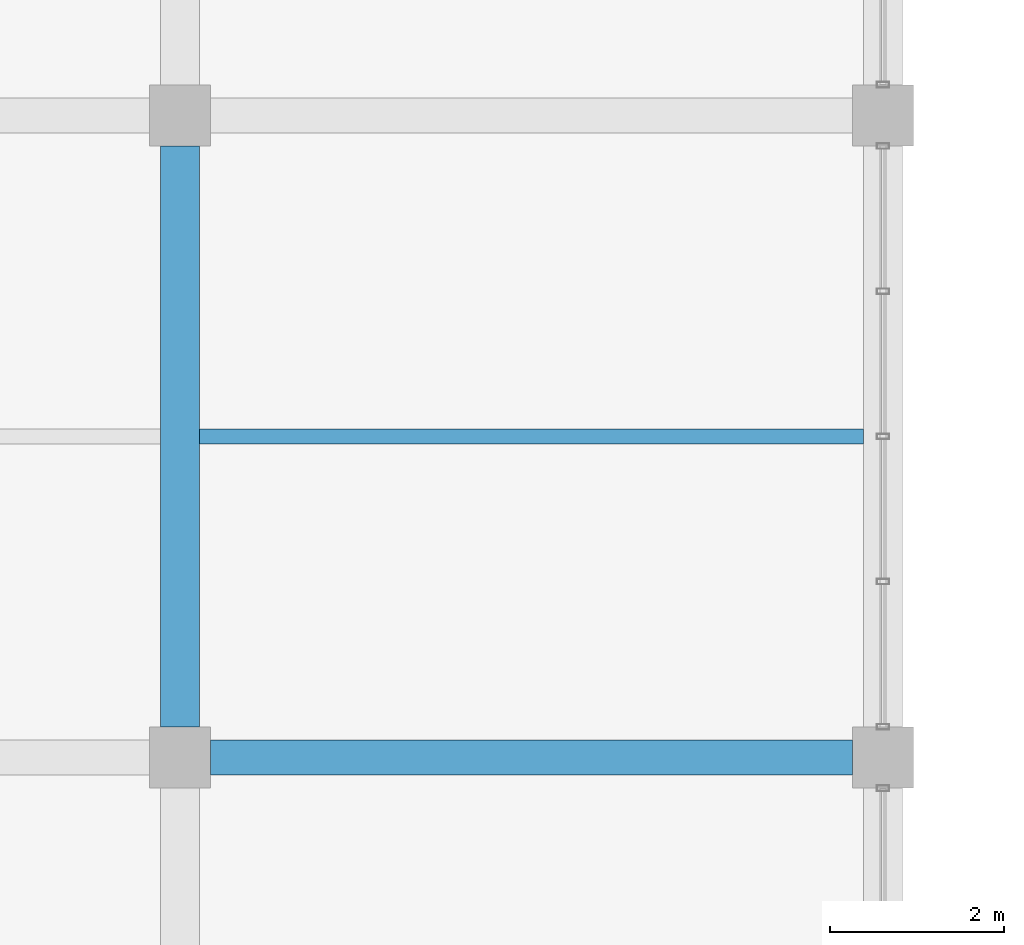
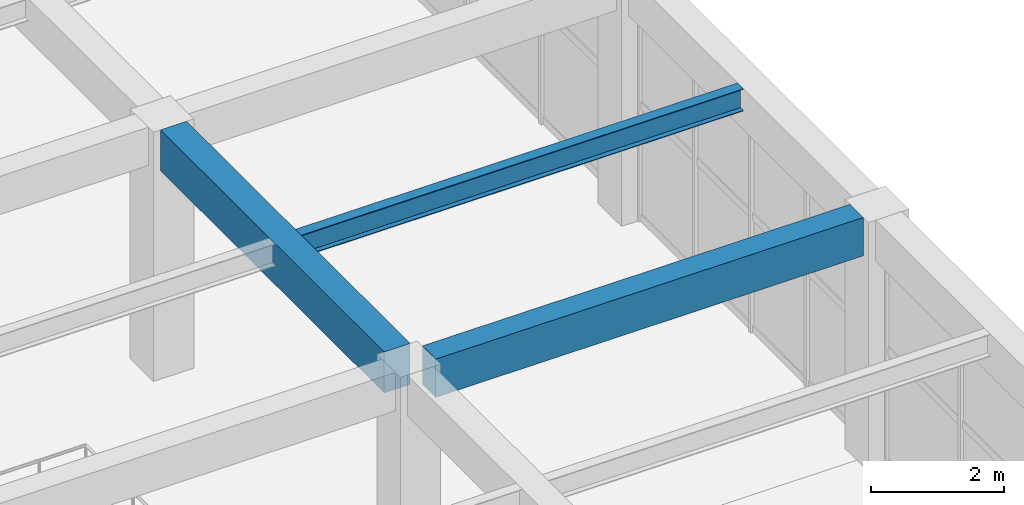
# One storey, part 73 of 161: 3 beams.
"""IFC4 building model written with IfcOpenShell, lengths in metres."""

from ifc_helpers import new_model, si_unit, direction, frame, origin, origin_2d, place, context, subcontext, project, spatial, rectangle, i_section, extrude, material, material_profile, profile_set, type_object, element, save


model = new_model("IFC4")

# Units and contexts
model_context = context("Model", 3, precision=1e-05, world=origin(), true_north=direction((0.0, 1.0)))
body_context = subcontext(model_context, "Body", "Model", "MODEL_VIEW")
ifc_project = project(units=[si_unit("LENGTHUNIT", "METRE"), si_unit("AREAUNIT", "SQUARE_METRE"), si_unit("VOLUMEUNIT", "CUBIC_METRE"), si_unit("PLANEANGLEUNIT", "RADIAN"), si_unit("MASSUNIT", "GRAM", prefix="KILO")], contexts=[model_context])

# Site, building, storey
site_placement = place(None, origin())
site = spatial("IfcSite", under=ifc_project, at=site_placement, CompositionType="ELEMENT")
building_placement = place(site_placement, origin())
building = spatial("IfcBuilding", under=site, at=building_placement, Name="Cimatlan Art Gallery", CompositionType="ELEMENT")
storey_placement = place(building_placement, frame((0.0, 0.0, 5.39990234375)))
storey = spatial("IfcBuildingStorey", under=building, at=storey_placement, Name="L01", CompositionType="ELEMENT", Elevation=5.39990234375)

# Beams
ifc_material_1 = material(Name="Concrete C40/50", Category="concrete")
ifc_material_profile_1 = material_profile(ifc_material_1, rectangle(XDim=0.39990234375, YDim=0.699951171875, at=origin_2d()), Name="RC400X700")
ifc_profile_set_1 = profile_set([ifc_material_profile_1], Name="Concrete C40/50")
beam_type_1 = type_object("IfcBeamType", Name="BM-RC-400X700", PredefinedType="BEAM", material=ifc_profile_set_1)
beam_1_placement = place(storey_placement, frame((42.85009765625, 75.699951171875, 4.210205078125), z_axis=(1.0, 0.0, 0.0), x_axis=(0.0, 1.0, 0.0)))
element("IfcBeam", 1, at=beam_1_placement, inside=storey, type_object=beam_type_1, Name="BM-X-L01-05-10", PredefinedType="BEAM", context=body_context, shape_type="SweptSolid", body=[
    extrude(rectangle(XDim=0.39990234375, YDim=0.699951171875, at=origin_2d()), origin(), (0.0, 0.0, 1.0), 7.39990234375),
])
ifc_material_profile_2 = material_profile(ifc_material_1, rectangle(XDim=0.449951171875, YDim=0.75, at=origin_2d()), Name="RC450X750")
ifc_profile_set_2 = profile_set([ifc_material_profile_2], Name="Concrete C40/50")
beam_type_2 = type_object("IfcBeamType", Name="BM-RC-450X750", PredefinedType="BEAM", material=ifc_profile_set_2)
beam_2_placement = place(storey_placement, frame((42.5, 76.050048828125, 4.18505859375), z_axis=(0.0, 1.0, 0.0), x_axis=(-1.0, 0.0, 0.0)))
element("IfcBeam", 2, at=beam_2_placement, inside=storey, type_object=beam_type_2, Name="BM-Y-L01-05-10", PredefinedType="BEAM", context=body_context, shape_type="SweptSolid", body=[
    extrude(rectangle(XDim=0.449951171875, YDim=0.75, at=origin_2d()), origin(), (0.0, 0.0, 1.0), 6.699951171875),
])
ifc_material_2 = material(Name="Steel ASTM A992 Grade 50", Category="steel")
ifc_material_profile_3 = material_profile(ifc_material_2, i_section(OverallWidth=0.177978515625, OverallDepth=0.406982421875, WebThickness=0.0078125, FlangeThickness=0.0126953125, at=origin_2d()), Name="W16X40")
ifc_profile_set_3 = profile_set([ifc_material_profile_3], Name="Steel ASTM A992 Grade 50")
beam_type_3 = type_object("IfcBeamType", Name="BM-STL-W16X40", PredefinedType="JOIST", material=ifc_profile_set_3)
beam_3_placement = place(storey_placement, frame((42.72509765625, 79.39990234375, 4.356689453125), z_axis=(1.0, 0.0, 0.0), x_axis=(0.0, 1.0, 0.0)))
element("IfcBeam", 3, at=beam_3_placement, inside=storey, type_object=beam_type_3, Name="JST-L01-05-10", PredefinedType="JOIST", context=body_context, shape_type="SweptSolid", body=[
    extrude(i_section(OverallWidth=0.177978515625, OverallDepth=0.406982421875, WebThickness=0.0078125, FlangeThickness=0.0126953125, at=origin_2d()), origin(), (0.0, 0.0, 1.0), 7.64990234375),
])

save(model, "model.ifc")
